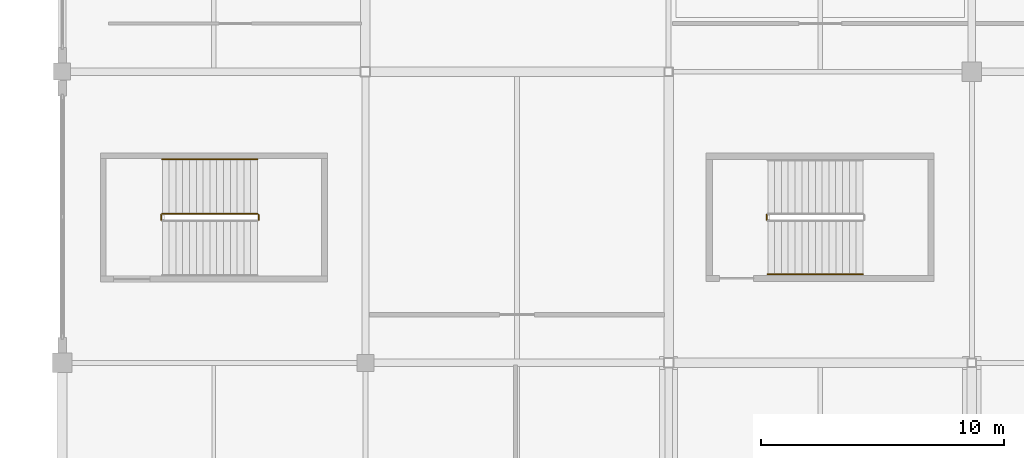
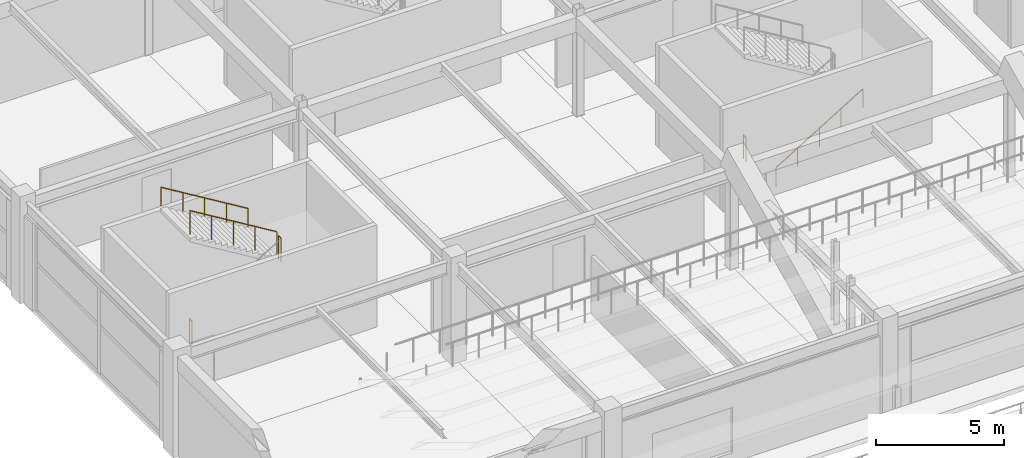
# One storey, part 125 of 128: 6 railings.
"""IFC4 building model written with IfcOpenShell, lengths in metres."""

from ifc_helpers import new_model, si_unit, direction, frame, origin, origin_2d, place, context, subcontext, project, spatial, circle, extrude, material, layer, layer_set, type_object, element, save


model = new_model("IFC4")

# Units and contexts
model_context = context("Model", 3, precision=1e-05, world=origin(), true_north=direction((0.0, 1.0)))
body_context = subcontext(model_context, "Body", "Model", "MODEL_VIEW")
ifc_project = project(units=[si_unit("LENGTHUNIT", "METRE"), si_unit("AREAUNIT", "SQUARE_METRE"), si_unit("VOLUMEUNIT", "CUBIC_METRE"), si_unit("PLANEANGLEUNIT", "RADIAN"), si_unit("MASSUNIT", "GRAM", prefix="KILO")], contexts=[model_context])

# Site, building, storey
site_placement = place(None, origin())
site = spatial("IfcSite", under=ifc_project, at=site_placement, CompositionType="ELEMENT")
building_placement = place(site_placement, origin())
building = spatial("IfcBuilding", under=site, at=building_placement, Name="Kazenohara Klinker Stadium", CompositionType="ELEMENT")
storey_placement = place(building_placement, frame((0.0, 0.0, 15.300048828125)))
storey = spatial("IfcBuildingStorey", under=building, at=storey_placement, Name="L03", CompositionType="ELEMENT", Elevation=15.300048828125)

# Railings
ifc_material_1 = material(Name="Brushed stainless steel 304 handrail", Category="steel")
ifc_layer_1 = layer(ifc_material_1, 0.050048828125)
ifc_layer_set_1 = layer_set([ifc_layer_1], Name="Brushed stainless steel 304 handrail")
railing_type_1 = type_object("IfcRailingType", Name="RL-HND-900", PredefinedType="HANDRAIL", material=ifc_layer_set_1)
railing_1_placement = place(storey_placement, frame((57.050048828125, 152.389892578125, 2.719970703125)))
element("IfcRailing", 1, at=railing_1_placement, inside=storey, type_object=railing_type_1, Name="L03 ST08 stair handrail 2", PredefinedType="HANDRAIL", context=body_context, shape_type="SweptSolid", body=[
    extrude(circle(Radius=0.02392578125, at=origin_2d()), frame((0.0, 0.0, 0.8759765625), z_axis=(-0.854808600491, 0.0, 0.518943403973), x_axis=(0.0, -1.0, 0.0)), (0.0, 0.0, 1.0), 4.5859375),
    extrude(circle(Radius=0.02099609375, at=origin_2d()), origin(), (0.0, 0.0, 1.0), 0.851806640625),
    extrude(circle(Radius=0.02099609375, at=origin_2d()), frame((-0.97998046875, 0.0, 0.594970703125)), (0.0, 0.0, 1.0), 0.851806640625),
    extrude(circle(Radius=0.02099609375, at=origin_2d()), frame((-1.9599609375, 0.0, 1.18994140625)), (0.0, 0.0, 1.0), 0.851806640625),
    extrude(circle(Radius=0.02099609375, at=origin_2d()), frame((-2.940185546875, 0.0, 1.784912109375)), (0.0, 0.0, 1.0), 0.851806640625),
    extrude(circle(Radius=0.02099609375, at=origin_2d()), frame((-3.920166015625, 0.0, 2.3798828125)), (0.0, 0.0, 1.0), 0.851806640625),
])
railing_2_placement = place(storey_placement, frame((78.090087890625, 147.64990234375, 0.169921875)))
element("IfcRailing", 2, at=railing_2_placement, inside=storey, type_object=railing_type_1, Name="L03 ST09 stair handrail 1", PredefinedType="HANDRAIL", context=body_context, shape_type="SweptSolid", body=[
    extrude(circle(Radius=0.02392578125, at=origin_2d()), frame((0.0, 0.0, 0.8759765625), z_axis=(0.854770645689, 0.0, 0.519005918337), x_axis=(0.0, 1.0, 0.0)), (0.0, 0.0, 1.0), 4.5859375),
    extrude(circle(Radius=0.02099609375, at=origin_2d()), origin(), (0.0, 0.0, 1.0), 0.851806640625),
    extrude(circle(Radius=0.02099609375, at=origin_2d()), frame((0.97998046875, 0.0, 0.594970703125)), (0.0, 0.0, 1.0), 0.851806640625),
    extrude(circle(Radius=0.02099609375, at=origin_2d()), frame((1.9599609375, 0.0, 1.18994140625)), (0.0, 0.0, 1.0), 0.851806640625),
    extrude(circle(Radius=0.02099609375, at=origin_2d()), frame((2.93994140625, 0.0, 1.78515625)), (0.0, 0.0, 1.0), 0.851806640625),
    extrude(circle(Radius=0.02099609375, at=origin_2d()), frame((3.919921875, 0.0, 2.380126953125)), (0.0, 0.0, 1.0), 0.851806640625),
])
ifc_material_2 = material(Name="Painted steel stairwell guardrail", Category="steel")
ifc_layer_2 = layer(ifc_material_2, 0.06005859375)
ifc_layer_set_2 = layer_set([ifc_layer_2], Name="Painted steel stairwell guardrail")
railing_type_2 = type_object("IfcRailingType", Name="RL-STG-1120", PredefinedType="GUARDRAIL", material=ifc_layer_set_2)
railing_3_placement = place(storey_placement, frame((57.10009765625, 149.89990234375, 2.550048828125)))
element("IfcRailing", 3, at=railing_3_placement, inside=storey, type_object=railing_type_2, Name="L03 ST08 stair guard 2", PredefinedType="GUARDRAIL", context=body_context, shape_type="SweptSolid", body=[
    extrude(circle(Radius=0.02392578125, at=origin_2d()), frame((0.0, 0.0, 1.1259765625), z_axis=(0.0, 1.0, 0.0), x_axis=(-1.0, 0.0, 0.0)), (0.0, 0.0, 1.0), 0.2001953125),
    extrude(circle(Radius=0.02099609375, at=origin_2d()), origin(), (0.0, 0.0, 1.0), 1.101806640625),
    extrude(circle(Radius=0.02099609375, at=origin_2d()), frame((0.0, 0.2001953125, 0.0)), (0.0, 0.0, 1.0), 1.101806640625),
])
railing_4_placement = place(storey_placement, frame((57.050048828125, 150.14990234375, 2.719970703125)))
element("IfcRailing", 4, at=railing_4_placement, inside=storey, type_object=railing_type_2, Name="L03 ST08 stair guard 3", PredefinedType="GUARDRAIL", context=body_context, shape_type="SweptSolid", body=[
    extrude(circle(Radius=0.02392578125, at=origin_2d()), frame((0.0, 0.0, 1.1259765625), z_axis=(-0.854808600491, 0.0, 0.518943403973), x_axis=(0.0, -1.0, 0.0)), (0.0, 0.0, 1.0), 4.5859375),
    extrude(circle(Radius=0.02099609375, at=origin_2d()), origin(), (0.0, 0.0, 1.0), 1.101806640625),
    extrude(circle(Radius=0.02099609375, at=origin_2d()), frame((-0.97998046875, 0.0, 0.594970703125)), (0.0, 0.0, 1.0), 1.101806640625),
    extrude(circle(Radius=0.02099609375, at=origin_2d()), frame((-1.9599609375, 0.0, 1.18994140625)), (0.0, 0.0, 1.0), 1.101806640625),
    extrude(circle(Radius=0.02099609375, at=origin_2d()), frame((-2.940185546875, 0.0, 1.784912109375)), (0.0, 0.0, 1.0), 1.101806640625),
    extrude(circle(Radius=0.02099609375, at=origin_2d()), frame((-3.920166015625, 0.0, 2.3798828125)), (0.0, 0.0, 1.0), 1.101806640625),
])
for number, where, name in (
    (5, (53.080078125, 149.89990234375, 0.0), "L03 ST08 stair guard 4"),
    (6, (78.0400390625, 149.89990234375, 0.0), "L03 ST09 stair guard 4"),
):
    element("IfcRailing", number, at=place(storey_placement, frame(where)), inside=storey, type_object=railing_type_2, Name=name, PredefinedType="GUARDRAIL", context=body_context, shape_type="SweptSolid", body=[
        extrude(circle(Radius=0.02392578125, at=origin_2d()), frame((0.0, 0.0, 1.1259765625), z_axis=(0.0, 1.0, 0.0), x_axis=(-1.0, 0.0, 0.0)), (0.0, 0.0, 1.0), 0.2001953125),
        extrude(circle(Radius=0.02099609375, at=origin_2d()), origin(), (0.0, 0.0, 1.0), 1.101806640625),
        extrude(circle(Radius=0.02099609375, at=origin_2d()), frame((0.0, 0.2001953125, 0.0)), (0.0, 0.0, 1.0), 1.101806640625),
    ])

save(model, "model.ifc")
